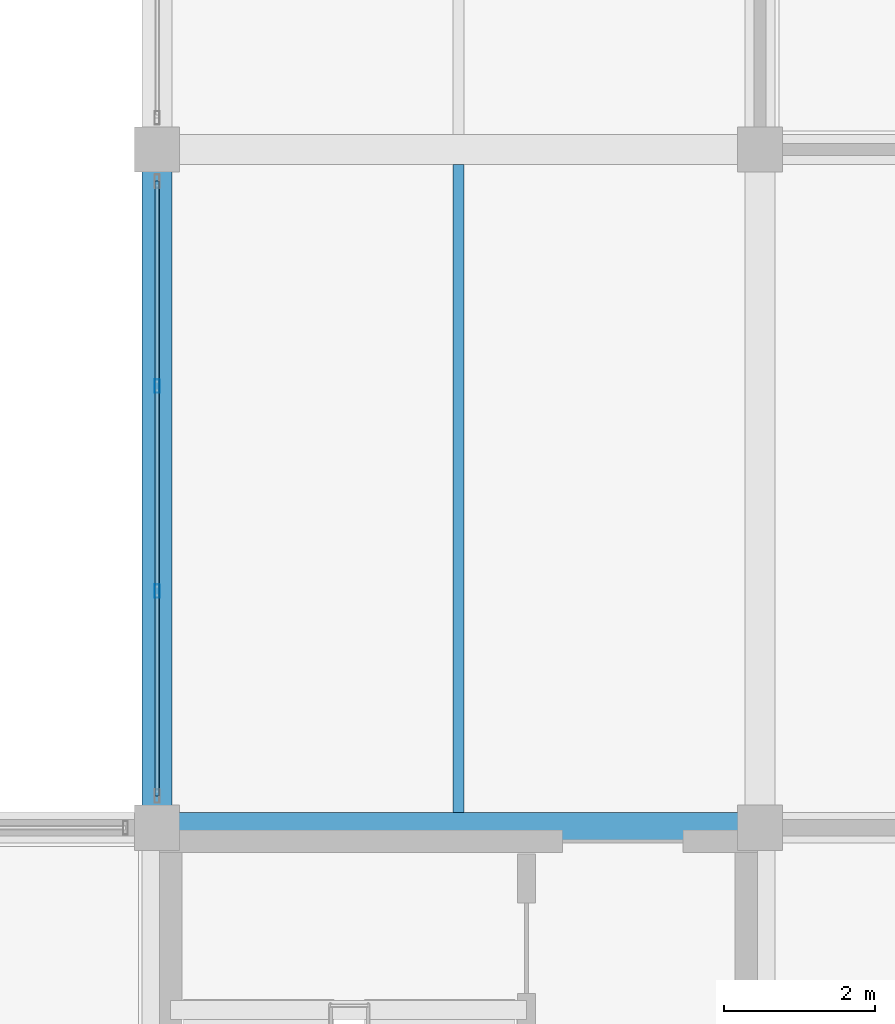
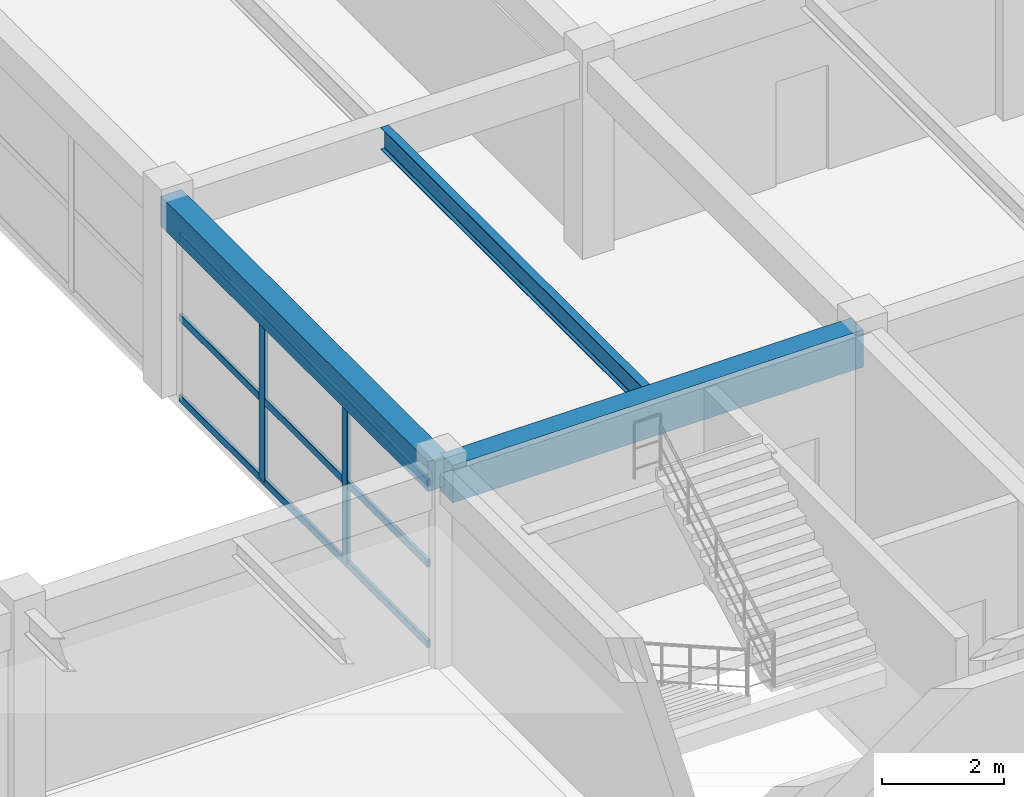
# One storey, part 24 of 126: 5 members, 3 beams, 1 element without a shape of its own.
"""IFC4 building model written with IfcOpenShell, lengths in metres."""

from ifc_helpers import new_model, si_unit, direction, frame, origin, origin_2d, place, context, subcontext, project, spatial, rectangle, hollow_rectangle, i_section, extrude, material, material_profile, profile_set, type_object, element, aggregate, save


model = new_model("IFC4")

# Units and contexts
model_context = context("Model", 3, precision=1e-05, world=origin(), true_north=direction((0.0, 1.0)))
body_context = subcontext(model_context, "Body", "Model", "MODEL_VIEW")
ifc_project = project(units=[si_unit("LENGTHUNIT", "METRE"), si_unit("AREAUNIT", "SQUARE_METRE"), si_unit("VOLUMEUNIT", "CUBIC_METRE"), si_unit("PLANEANGLEUNIT", "RADIAN"), si_unit("MASSUNIT", "GRAM", prefix="KILO")], contexts=[model_context])

# Site, building, storey
site_placement = place(None, origin())
site = spatial("IfcSite", under=ifc_project, at=site_placement, CompositionType="ELEMENT")
building_placement = place(site_placement, origin())
building = spatial("IfcBuilding", under=site, at=building_placement, Name="Varnabhumi Central Station", CompositionType="ELEMENT")
storey_placement = place(building_placement, frame((0.0, 0.0, 16.199951171875)))
storey = spatial("IfcBuildingStorey", under=building, at=storey_placement, Name="L03", CompositionType="ELEMENT", Elevation=16.199951171875)

# Beams
ifc_material_1 = material(Name="Structural steel E350", Category="steel")
ifc_material_profile_1 = material_profile(ifc_material_1, i_section(OverallWidth=0.14990234375, OverallDepth=0.449951171875, WebThickness=0.009521484375, FlangeThickness=0.017333984375, FilletRadius=0.014892578125, at=origin_2d()), Name="Structural steel E350", Category="steel")
ifc_profile_set_1 = profile_set([ifc_material_profile_1], Name="Structural steel E350")
beam_type_1 = type_object("IfcBeamType", Name="BM-JST-ISMB450", PredefinedType="JOIST", material=ifc_profile_set_1)
beam_1_placement = place(storey_placement, frame((148.0, 9.199951171875, 3.695068359375), z_axis=(0.0, 1.0, 0.0), x_axis=(-1.0, 0.0, 0.0)))
element("IfcBeam", 1, at=beam_1_placement, inside=storey, type_object=beam_type_1, Name="Secondary Joist L03-19/20:B-C", PredefinedType="JOIST", context=body_context, shape_type="SweptSolid", body=[
    extrude(i_section(OverallWidth=0.14990234375, OverallDepth=0.449951171875, WebThickness=0.009521484375, FlangeThickness=0.017333984375, FilletRadius=0.014892578125, at=origin_2d()), origin(), (0.0, 0.0, 1.0), 8.60009765625),
])
ifc_material_2 = material(Name="Concrete M40", Category="concrete")
ifc_material_profile_2 = material_profile(ifc_material_2, rectangle(XDim=0.39990234375, YDim=0.60009765625, at=origin_2d()), Name="Concrete M40", Category="concrete")
ifc_profile_set_2 = profile_set([ifc_material_profile_2], Name="Concrete M40")
beam_type_2 = type_object("IfcBeamType", Name="BM-RC-400x600", PredefinedType="BEAM", material=ifc_profile_set_2)
beam_2_placement = place(storey_placement, frame((144.0, 9.10009765625, 3.6201171875), z_axis=(0.0, 1.0, 0.0), x_axis=(-1.0, 0.0, 0.0)))
element("IfcBeam", 2, at=beam_2_placement, inside=storey, type_object=beam_type_2, Name="Beam L03-19:B-C", PredefinedType="BEAM", context=body_context, shape_type="SweptSolid", body=[
    extrude(rectangle(XDim=0.39990234375, YDim=0.60009765625, at=origin_2d()), origin(), (0.0, 0.0, 1.0), 8.7998046875),
])
ifc_material_profile_3 = material_profile(ifc_material_2, rectangle(XDim=0.39990234375, YDim=0.75, at=origin_2d()), Name="Concrete M40", Category="concrete")
ifc_profile_set_3 = profile_set([ifc_material_profile_3], Name="Concrete M40")
beam_type_3 = type_object("IfcBeamType", Name="BM-RC-400x750", PredefinedType="BEAM", material=ifc_profile_set_3)
beam_3_placement = place(storey_placement, frame((144.10009765625, 9.0, 3.545166015625), z_axis=(1.0, 0.0, 0.0), x_axis=(0.0, 1.0, 0.0)))
element("IfcBeam", 3, at=beam_3_placement, inside=storey, type_object=beam_type_3, Name="Beam L03-B:19-20", PredefinedType="BEAM", context=body_context, shape_type="SweptSolid", body=[
    extrude(rectangle(XDim=0.39990234375, YDim=0.75, at=origin_2d()), origin(), (0.0, 0.0, 1.0), 7.7998046875),
])

# Curtain wall, members
ifc_material_3 = material(Name="Anodised aluminium 6063-T6", Category="aluminium")
curtain_wall_type = type_object("IfcCurtainWallType", Name="CW-PATIO-LOGGIA-L3", PredefinedType="NOTDEFINED", material=ifc_material_3)
curtain_wall_placement = place(storey_placement, origin())
curtain_wall = element("IfcCurtainWall", 4, at=curtain_wall_placement, inside=storey, type_object=curtain_wall_type, Name="Curtain Wall CW-SP3W1", PredefinedType="NOTDEFINED")
ifc_material_profile_4 = material_profile(ifc_material_3, hollow_rectangle(XDim=0.06494140625, YDim=0.179931640625, WallThickness=0.00390625, InnerFilletRadius=0.001953125, OuterFilletRadius=0.006103515625, at=origin_2d()), Name="Anodised aluminium 6063-T6", Category="aluminium")
ifc_profile_set_4 = profile_set([ifc_material_profile_4], Name="Anodised aluminium 6063-T6")
member_type_1 = type_object("IfcMemberType", Name="CW-MUL-180", PredefinedType="MULLION", material=ifc_profile_set_4)
member_1_placement = place(storey_placement, frame((144.0, 12.139892578125, 0.0), z_axis=(0.0, 0.0, 1.0), x_axis=(1.0, 0.0, 0.0)))
member_1 = element("IfcMember", 5, at=member_1_placement, type_object=member_type_1, Name="Curtain Wall Mullion CW-SP3W1-M2", PredefinedType="MULLION", context=body_context, shape_type="SweptSolid", body=[
    extrude(hollow_rectangle(XDim=0.06494140625, YDim=0.179931640625, WallThickness=0.00390625, InnerFilletRadius=0.001953125, OuterFilletRadius=0.006103515625, at=origin_2d()), origin(), (0.0, 0.0, 1.0), 3.239990234375),
])
member_2_placement = place(storey_placement, frame((144.0, 14.860107421875, 0.0), z_axis=(0.0, 0.0, 1.0), x_axis=(1.0, 0.0, 0.0)))
member_2 = element("IfcMember", 6, at=member_2_placement, type_object=member_type_1, Name="Curtain Wall Mullion CW-SP3W1-M3", PredefinedType="MULLION", context=body_context, shape_type="SweptSolid", body=[
    extrude(hollow_rectangle(XDim=0.06494140625, YDim=0.179931640625, WallThickness=0.00390625, InnerFilletRadius=0.001953125, OuterFilletRadius=0.006103515625, at=origin_2d()), origin(), (0.0, 0.0, 1.0), 3.239990234375),
])
ifc_material_profile_5 = material_profile(ifc_material_3, hollow_rectangle(XDim=0.06005859375, YDim=0.14990234375, WallThickness=0.00390625, InnerFilletRadius=0.001953125, OuterFilletRadius=0.006103515625, at=origin_2d()), Name="Anodised aluminium 6063-T6", Category="aluminium")
ifc_profile_set_5 = profile_set([ifc_material_profile_5], Name="Anodised aluminium 6063-T6")
member_type_2 = type_object("IfcMemberType", Name="CW-TR-150", PredefinedType="USERDEFINED", material=ifc_profile_set_5)
member_3_placement = place(storey_placement, frame((144.0, 9.419921875, 0.0), z_axis=(0.0, 1.0, 0.0), x_axis=(-1.0, 0.0, 0.0)))
member_3 = element("IfcMember", 7, at=member_3_placement, type_object=member_type_2, Name="Curtain Wall Transom CW-SP3W1-T1", ObjectType="TRANSOM", PredefinedType="USERDEFINED", context=body_context, shape_type="SweptSolid", body=[
    extrude(hollow_rectangle(XDim=0.06005859375, YDim=0.14990234375, WallThickness=0.00390625, InnerFilletRadius=0.001953125, OuterFilletRadius=0.006103515625, at=origin_2d()), origin(), (0.0, 0.0, 1.0), 8.16015625),
])
member_4_placement = place(storey_placement, frame((144.0, 9.419921875, 1.6201171875), z_axis=(0.0, 1.0, 0.0), x_axis=(-1.0, 0.0, 0.0)))
member_4 = element("IfcMember", 8, at=member_4_placement, type_object=member_type_2, Name="Curtain Wall Transom CW-SP3W1-T2", ObjectType="TRANSOM", PredefinedType="USERDEFINED", context=body_context, shape_type="SweptSolid", body=[
    extrude(hollow_rectangle(XDim=0.06005859375, YDim=0.14990234375, WallThickness=0.00390625, InnerFilletRadius=0.001953125, OuterFilletRadius=0.006103515625, at=origin_2d()), origin(), (0.0, 0.0, 1.0), 8.16015625),
])
member_5_placement = place(storey_placement, frame((144.0, 9.419921875, 3.239990234375), z_axis=(0.0, 1.0, 0.0), x_axis=(-1.0, 0.0, 0.0)))
member_5 = element("IfcMember", 9, at=member_5_placement, type_object=member_type_2, Name="Curtain Wall Transom CW-SP3W1-T3", ObjectType="TRANSOM", PredefinedType="USERDEFINED", context=body_context, shape_type="SweptSolid", body=[
    extrude(hollow_rectangle(XDim=0.06005859375, YDim=0.14990234375, WallThickness=0.00390625, InnerFilletRadius=0.001953125, OuterFilletRadius=0.006103515625, at=origin_2d()), origin(), (0.0, 0.0, 1.0), 8.16015625),
])
aggregate(curtain_wall, [member_1, member_2, member_3, member_4, member_5])

save(model, "model.ifc")
